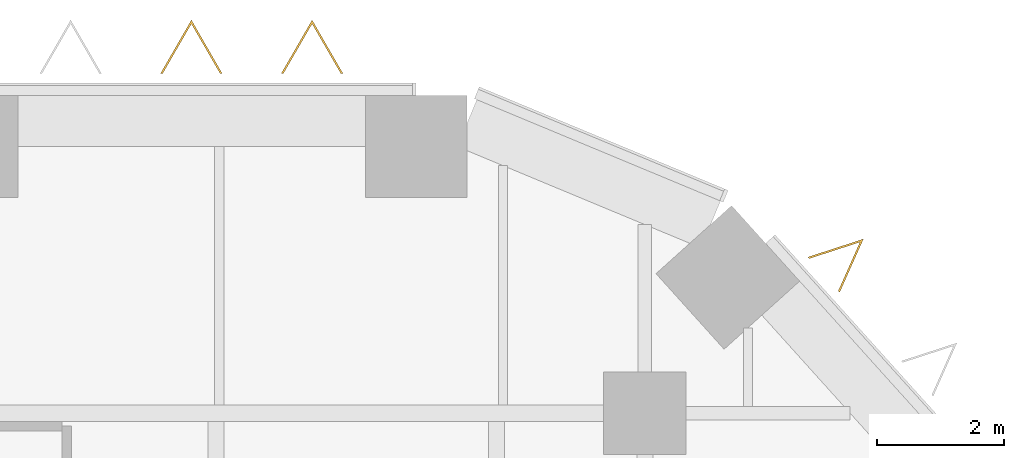
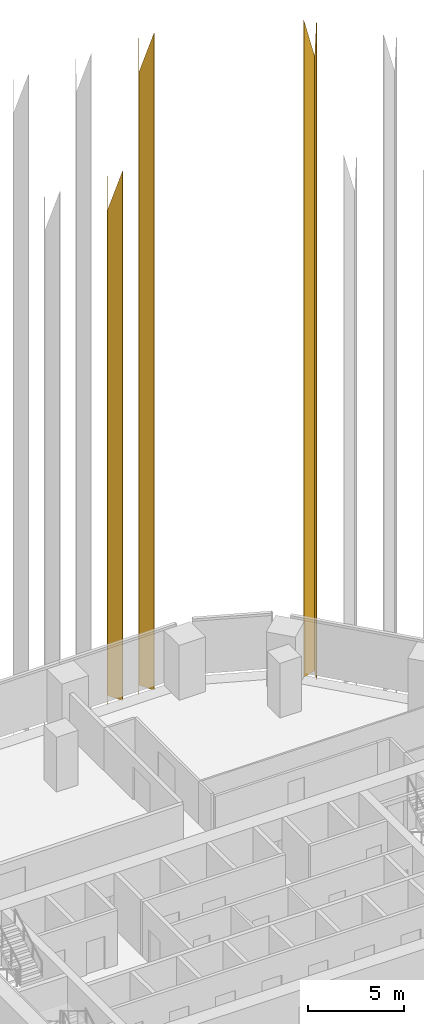
# One storey, part 24 of 24: 3 coverings.
"""IFC4 building model written with IfcOpenShell, lengths in metres."""

from ifc_helpers import new_model, si_unit, direction, frame, origin, place, context, subcontext, project, spatial, polyline, outline, faceted_brep, material, material_profile, profile_set, type_object, element, save


model = new_model("IFC4")

# Units and contexts
model_context = context("Model", 3, precision=1e-05, world=origin(), true_north=direction((0.0, 1.0)))
body_context = subcontext(model_context, "Body", "Model", "MODEL_VIEW")
ifc_project = project(units=[si_unit("LENGTHUNIT", "METRE"), si_unit("AREAUNIT", "SQUARE_METRE"), si_unit("VOLUMEUNIT", "CUBIC_METRE"), si_unit("PLANEANGLEUNIT", "RADIAN"), si_unit("MASSUNIT", "GRAM", prefix="KILO")], contexts=[model_context])

# Site, building, storey
site_placement = place(None, origin())
site = spatial("IfcSite", under=ifc_project, at=site_placement, CompositionType="ELEMENT")
building_placement = place(site_placement, origin())
building = spatial("IfcBuilding", under=site, at=building_placement, Name="Isthmus Gate Tower", CompositionType="ELEMENT")
storey_placement = place(building_placement, frame((0.0, 0.0, 80.64990234375)))
storey = spatial("IfcBuildingStorey", under=building, at=storey_placement, Name="L18", CompositionType="ELEMENT", Elevation=80.64990234375)

# Coverings
ifc_material_1 = material(Name="Structural steel ASTM A572 Gr 50, white paint system", Category="steel")
ifc_material_profile_1 = material_profile(ifc_material_1, outline(polyline([(0.0, -0.3740234375), (0.840087890625, 0.0), (0.0, 0.3740234375), (0.0, 0.341064453125), (0.766357421875, 0.0), (0.0, -0.341064453125), (0.0, -0.3740234375)])), Name="V840")
ifc_profile_set_1 = profile_set([ifc_material_profile_1], Name="Structural steel ASTM A572 Gr 50, white paint system")
covering_type_1 = type_object("IfcCoveringType", Name="FIN V 840 DEEP", PredefinedType="CLADDING", material=ifc_profile_set_1)
covering_1_placement = place(storey_placement, frame((0.0, 0.0, -80.64990234375)))
element("IfcCovering", 1, at=covering_1_placement, inside=storey, type_object=covering_type_1, Name="FIN", ObjectType="FIN", PredefinedType="CLADDING", context=body_context, shape_type="Brep", body=[
    faceted_brep([(16.543701171875, 28.927734375, 80.25), (16.884765625, 29.69384765625, 80.25), (16.087158203125, 29.4345703125, 80.25), (16.065185546875, 29.458984375, 80.25), (16.939697265625, 29.7431640625, 80.25), (16.565673828125, 28.9033203125, 80.25), (16.565673828125, 28.9033203125, 122.25), (16.939697265625, 29.7431640625, 119.25), (16.065185546875, 29.458984375, 122.25), (16.087158203125, 29.4345703125, 122.25), (16.884765625, 29.69384765625, 119.513427734375), (16.543701171875, 28.927734375, 122.25)], [[[0, 1, 2, 3, 4, 5]], [[6, 7, 8, 9, 10, 11]], [[5, 4, 7, 6]], [[4, 3, 8, 7]], [[3, 2, 9, 8]], [[2, 1, 10, 9]], [[1, 0, 11, 10]], [[0, 5, 6, 11]]]),
])
ifc_material_2 = material(Name="Structural steel ASTM A572 Gr 50, white paint system", Category="steel")
ifc_material_profile_2 = material_profile(ifc_material_2, outline(polyline([(0.0, -0.48486328125), (0.840087890625, 0.0), (0.0, 0.48486328125), (0.0, 0.450439453125), (0.780029296875, 0.0), (0.0, -0.450439453125), (0.0, -0.48486328125)])), Name="V840W")
ifc_profile_set_2 = profile_set([ifc_material_profile_2], Name="Structural steel ASTM A572 Gr 50, white paint system")
covering_type_2 = type_object("IfcCoveringType", Name="FIN V 840 DEEP WIDE", PredefinedType="CLADDING", material=ifc_profile_set_2)
covering_2_placement = place(storey_placement, frame((0.0, 0.0, -80.64990234375)))
element("IfcCovering", 2, at=covering_2_placement, inside=storey, type_object=covering_type_2, Name="FIN", ObjectType="FIN", PredefinedType="CLADDING", context=body_context, shape_type="Brep", body=[
    faceted_brep([(8.713134765625, 32.35009765625, 80.25), (8.2626953125, 33.130126953125, 80.25), (7.812255859375, 32.35009765625, 80.25), (7.77783203125, 32.35009765625, 80.25), (8.2626953125, 33.190185546875, 80.25), (8.74755859375, 32.35009765625, 80.25), (8.74755859375, 32.35009765625, 122.25), (8.2626953125, 33.190185546875, 119.25), (7.77783203125, 32.35009765625, 122.25), (7.812255859375, 32.35009765625, 122.25), (8.2626953125, 33.130126953125, 119.46435546875), (8.713134765625, 32.35009765625, 122.25)], [[[0, 1, 2, 3, 4, 5]], [[6, 7, 8, 9, 10, 11]], [[5, 4, 7, 6]], [[4, 3, 8, 7]], [[3, 2, 9, 8]], [[2, 1, 10, 9]], [[1, 0, 11, 10]], [[0, 5, 6, 11]]]),
])
covering_3_placement = place(storey_placement, frame((0.0, 0.0, -80.64990234375)))
element("IfcCovering", 3, at=covering_3_placement, inside=storey, type_object=covering_type_2, Name="FIN", ObjectType="FIN", PredefinedType="CLADDING", context=body_context, shape_type="Brep", body=[
    faceted_brep([(6.813232421875, 32.35009765625, 80.25), (6.36279296875, 33.130126953125, 80.25), (5.912353515625, 32.35009765625, 80.25), (5.8779296875, 32.35009765625, 80.25), (6.36279296875, 33.190185546875, 80.25), (6.84765625, 32.35009765625, 80.25), (6.84765625, 32.35009765625, 114.10009765625), (6.36279296875, 33.190185546875, 111.10009765625), (5.8779296875, 32.35009765625, 114.10009765625), (5.912353515625, 32.35009765625, 114.10009765625), (6.36279296875, 33.130126953125, 111.314208984375), (6.813232421875, 32.35009765625, 114.10009765625)], [[[0, 1, 2, 3, 4, 5]], [[6, 7, 8, 9, 10, 11]], [[5, 4, 7, 6]], [[4, 3, 8, 7]], [[3, 2, 9, 8]], [[2, 1, 10, 9]], [[1, 0, 11, 10]], [[0, 5, 6, 11]]]),
])

save(model, "model.ifc")
